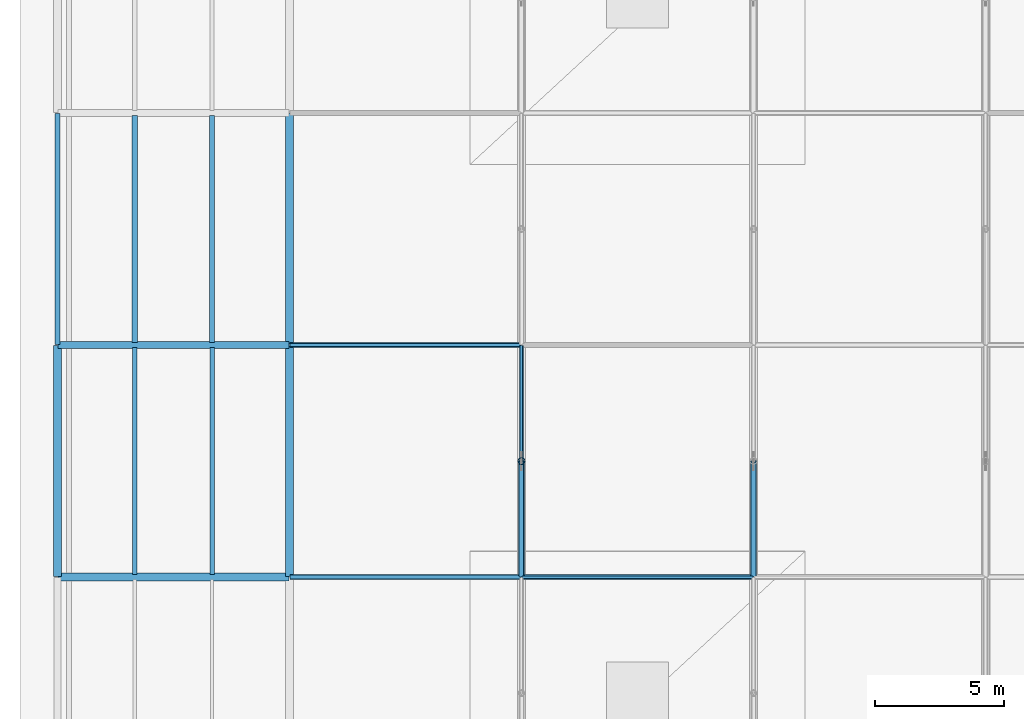
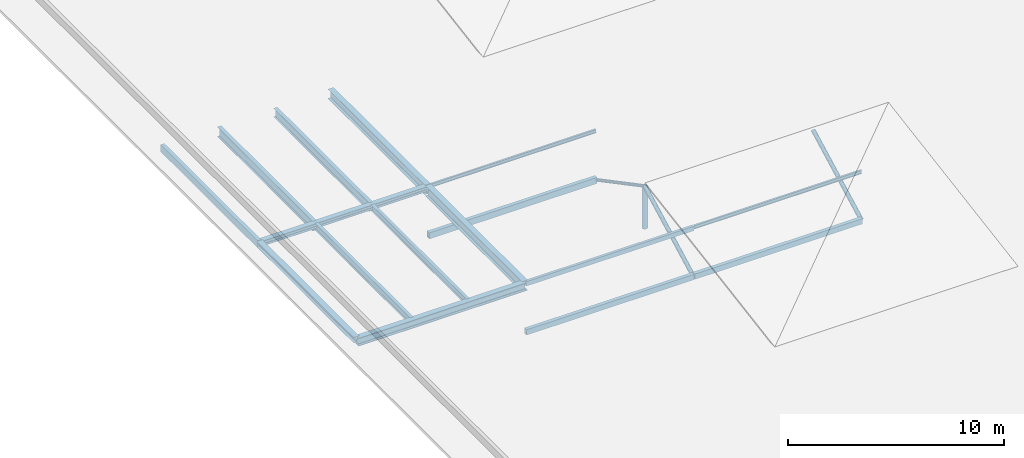
# One storey, part 49 of 196: 10 beams, 10 members.
"""IFC4 building model written with IfcOpenShell, lengths in metres."""

from ifc_helpers import new_model, si_unit, direction, frame, origin, origin_2d, place, context, subcontext, project, spatial, hollow_rectangle, hollow_circle, i_section, extrude, material, material_profile, profile_set, type_object, element, save


model = new_model("IFC4")

# Units and contexts
model_context = context("Model", 3, precision=1e-05, world=origin(), true_north=direction((0.0, 1.0)))
body_context = subcontext(model_context, "Body", "Model", "MODEL_VIEW")
ifc_project = project(units=[si_unit("LENGTHUNIT", "METRE"), si_unit("AREAUNIT", "SQUARE_METRE"), si_unit("VOLUMEUNIT", "CUBIC_METRE"), si_unit("PLANEANGLEUNIT", "RADIAN"), si_unit("MASSUNIT", "GRAM", prefix="KILO")], contexts=[model_context])

# Site, building, storey
site_placement = place(None, origin())
site = spatial("IfcSite", under=ifc_project, at=site_placement, CompositionType="ELEMENT")
building_placement = place(site_placement, origin())
building = spatial("IfcBuilding", under=site, at=building_placement, Name="Barlavento Convention Centre", CompositionType="ELEMENT")
storey_placement = place(building_placement, frame((0.0, 0.0, 18.0)))
storey = spatial("IfcBuildingStorey", under=building, at=storey_placement, Name="L03", CompositionType="ELEMENT", Elevation=18.0)

# Beams
ifc_material = material(Name="Steel S355", Category="steel")
ifc_material_profile_1 = material_profile(ifc_material, i_section(OverallWidth=0.169921875, OverallDepth=0.360107421875, WebThickness=0.008056640625, FlangeThickness=0.0126953125, FilletRadius=0.01806640625, at=origin_2d()), Name="IPE 360")
ifc_profile_set_1 = profile_set([ifc_material_profile_1], Name="Steel S355")
beam_type_1 = type_object("IfcBeamType", Name="STR-BM-JST-IPE360", PredefinedType="JOIST", material=ifc_profile_set_1)
beam_1_placement = place(storey_placement, frame((6.0, 81.094970703125, -0.52490234375), z_axis=(0.0, 1.0, 0.0), x_axis=(-1.0, 0.0, 0.0)))
element("IfcBeam", 1, at=beam_1_placement, inside=storey, type_object=beam_type_1, Name="L03 composite floor joist SJ05", PredefinedType="JOIST", context=body_context, shape_type="SweptSolid", body=[
    extrude(i_section(OverallWidth=0.169921875, OverallDepth=0.360107421875, WebThickness=0.008056640625, FlangeThickness=0.0126953125, FilletRadius=0.01806640625, at=origin_2d()), origin(), (0.0, 0.0, 1.0), 8.81005859375),
])
ifc_material_profile_2 = material_profile(ifc_material, i_section(OverallWidth=0.179931640625, OverallDepth=0.39990234375, WebThickness=0.008544921875, FlangeThickness=0.013427734375, FilletRadius=0.02099609375, at=origin_2d()), Name="IPE 400")
ifc_profile_set_2 = profile_set([ifc_material_profile_2], Name="Steel S355")
beam_type_2 = type_object("IfcBeamType", Name="STR-BM-JST-IPE400", PredefinedType="JOIST", material=ifc_profile_set_2)
beam_2_placement = place(storey_placement, frame((3.0, 81.094970703125, -0.544921875), z_axis=(0.0, 1.0, 0.0), x_axis=(-1.0, 0.0, 0.0)))
element("IfcBeam", 2, at=beam_2_placement, inside=storey, type_object=beam_type_2, Name="L03 composite floor joist SJ04", PredefinedType="JOIST", context=body_context, shape_type="SweptSolid", body=[
    extrude(i_section(OverallWidth=0.179931640625, OverallDepth=0.39990234375, WebThickness=0.008544921875, FlangeThickness=0.013427734375, FilletRadius=0.02099609375, at=origin_2d()), origin(), (0.0, 0.0, 1.0), 8.81005859375),
])
ifc_material_profile_3 = material_profile(ifc_material, i_section(OverallWidth=0.199951171875, OverallDepth=0.5, WebThickness=0.01025390625, FlangeThickness=0.01611328125, FilletRadius=0.02099609375, at=origin_2d()), Name="IPE 500")
ifc_profile_set_3 = profile_set([ifc_material_profile_3], Name="Steel S355")
beam_type_3 = type_object("IfcBeamType", Name="STR-BM-JST-IPE500", PredefinedType="JOIST", material=ifc_profile_set_3)
beam_3_placement = place(storey_placement, frame((6.0, 90.094970703125, -0.594970703125), z_axis=(0.0, 1.0, 0.0), x_axis=(-1.0, 0.0, 0.0)))
element("IfcBeam", 3, at=beam_3_placement, inside=storey, type_object=beam_type_3, Name="L03 composite floor joist SJ02", PredefinedType="JOIST", context=body_context, shape_type="SweptSolid", body=[
    extrude(i_section(OverallWidth=0.199951171875, OverallDepth=0.5, WebThickness=0.01025390625, FlangeThickness=0.01611328125, FilletRadius=0.02099609375, at=origin_2d()), origin(), (0.0, 0.0, 1.0), 8.81005859375),
])
ifc_material_profile_4 = material_profile(ifc_material, i_section(OverallWidth=0.2099609375, OverallDepth=0.550048828125, WebThickness=0.010986328125, FlangeThickness=0.01708984375, FilletRadius=0.02392578125, at=origin_2d()), Name="IPE 550")
ifc_profile_set_4 = profile_set([ifc_material_profile_4], Name="Steel S355")
beam_type_4 = type_object("IfcBeamType", Name="STR-BM-JST-IPE550", PredefinedType="JOIST", material=ifc_profile_set_4)
beam_4_placement = place(storey_placement, frame((3.0, 90.094970703125, -0.6201171875), z_axis=(0.0, 1.0, 0.0), x_axis=(-1.0, 0.0, 0.0)))
element("IfcBeam", 4, at=beam_4_placement, inside=storey, type_object=beam_type_4, Name="L03 composite floor joist SJ01", PredefinedType="JOIST", context=body_context, shape_type="SweptSolid", body=[
    extrude(i_section(OverallWidth=0.2099609375, OverallDepth=0.550048828125, WebThickness=0.010986328125, FlangeThickness=0.01708984375, FilletRadius=0.02392578125, at=origin_2d()), origin(), (0.0, 0.0, 1.0), 8.81005859375),
])
ifc_material_profile_5 = material_profile(ifc_material, i_section(OverallWidth=0.300048828125, OverallDepth=0.5400390625, WebThickness=0.012451171875, FlangeThickness=0.02392578125, FilletRadius=0.027099609375, at=origin_2d()), Name="HEA 550")
ifc_profile_set_5 = profile_set([ifc_material_profile_5], Name="Steel S355")
beam_type_5 = type_object("IfcBeamType", Name="STR-BM-PRI-HEA550", PredefinedType="BEAM", material=ifc_profile_set_5)
beam_5_placement = place(storey_placement, frame((9.0, 90.02001953125, -0.614990234375), z_axis=(0.0, 1.0, 0.0), x_axis=(-1.0, 0.0, 0.0)))
element("IfcBeam", 5, at=beam_5_placement, inside=storey, type_object=beam_type_5, Name="L03 grid girder BG19", PredefinedType="BEAM", context=body_context, shape_type="SweptSolid", body=[
    extrude(i_section(OverallWidth=0.300048828125, OverallDepth=0.5400390625, WebThickness=0.012451171875, FlangeThickness=0.02392578125, FilletRadius=0.027099609375, at=origin_2d()), origin(), (0.0, 0.0, 1.0), 8.9599609375),
])
ifc_material_profile_6 = material_profile(ifc_material, i_section(OverallWidth=0.300048828125, OverallDepth=0.590087890625, WebThickness=0.012939453125, FlangeThickness=0.02490234375, FilletRadius=0.027099609375, at=origin_2d()), Name="HEA 600")
ifc_profile_set_6 = profile_set([ifc_material_profile_6], Name="Steel S355")
beam_type_6 = type_object("IfcBeamType", Name="STR-BM-PRI-HEA600", PredefinedType="BEAM", material=ifc_profile_set_6)
beam_6_placement = place(storey_placement, frame((9.0, 81.02001953125, -0.639892578125), z_axis=(0.0, 1.0, 0.0), x_axis=(-1.0, 0.0, 0.0)))
element("IfcBeam", 6, at=beam_6_placement, inside=storey, type_object=beam_type_6, Name="L03 grid girder BG18", PredefinedType="BEAM", context=body_context, shape_type="SweptSolid", body=[
    extrude(i_section(OverallWidth=0.300048828125, OverallDepth=0.590087890625, WebThickness=0.012939453125, FlangeThickness=0.02490234375, FilletRadius=0.027099609375, at=origin_2d()), origin(), (0.0, 0.0, 1.0), 8.9599609375),
])
ifc_material_profile_7 = material_profile(ifc_material, i_section(OverallWidth=0.280029296875, OverallDepth=0.280029296875, WebThickness=0.010498046875, FlangeThickness=0.01806640625, FilletRadius=0.02392578125, at=origin_2d()), Name="HEB 280")
ifc_profile_set_7 = profile_set([ifc_material_profile_7], Name="Steel S355")
beam_type_7 = type_object("IfcBeamType", Name="STR-BM-PRI-HEB280", PredefinedType="BEAM", material=ifc_profile_set_7)
beam_7_placement = place(storey_placement, frame((0.02001953125, 90.0, -0.485107421875), z_axis=(1.0, 0.0, 0.0), x_axis=(0.0, 1.0, 0.0)))
element("IfcBeam", 7, at=beam_7_placement, inside=storey, type_object=beam_type_7, Name="L03 primary girder BG15", PredefinedType="BEAM", context=body_context, shape_type="SweptSolid", body=[
    extrude(i_section(OverallWidth=0.280029296875, OverallDepth=0.280029296875, WebThickness=0.010498046875, FlangeThickness=0.01806640625, FilletRadius=0.02392578125, at=origin_2d()), origin(), (0.0, 0.0, 1.0), 8.9599609375),
])
ifc_material_profile_8 = material_profile(ifc_material, i_section(OverallWidth=0.300048828125, OverallDepth=0.449951171875, WebThickness=0.013916015625, FlangeThickness=0.02587890625, FilletRadius=0.027099609375, at=origin_2d()), Name="HEB 450")
ifc_profile_set_8 = profile_set([ifc_material_profile_8], Name="Steel S355")
beam_type_8 = type_object("IfcBeamType", Name="STR-BM-PRI-HEB450", PredefinedType="BEAM", material=ifc_profile_set_8)
beam_8_placement = place(storey_placement, frame((0.02001953125, 81.0, -0.570068359375), z_axis=(1.0, 0.0, 0.0), x_axis=(0.0, 1.0, 0.0)))
element("IfcBeam", 8, at=beam_8_placement, inside=storey, type_object=beam_type_8, Name="L03 primary girder BG10", PredefinedType="BEAM", context=body_context, shape_type="SweptSolid", body=[
    extrude(i_section(OverallWidth=0.300048828125, OverallDepth=0.449951171875, WebThickness=0.013916015625, FlangeThickness=0.02587890625, FilletRadius=0.027099609375, at=origin_2d()), origin(), (0.0, 0.0, 1.0), 8.9599609375),
])
ifc_material_profile_9 = material_profile(ifc_material, i_section(OverallWidth=0.300048828125, OverallDepth=0.31005859375, WebThickness=0.009033203125, FlangeThickness=0.015380859375, FilletRadius=0.027099609375, at=origin_2d()), Name="HEA 320")
ifc_profile_set_9 = profile_set([ifc_material_profile_9], Name="Steel S355")
beam_type_9 = type_object("IfcBeamType", Name="STR-BM-SPN-HEA320", PredefinedType="SPANDREL", material=ifc_profile_set_9)
beam_9_placement = place(storey_placement, frame((0.0, 81.02001953125, -0.5), z_axis=(0.0, 1.0, 0.0), x_axis=(-1.0, 0.0, 0.0)))
element("IfcBeam", 9, at=beam_9_placement, inside=storey, type_object=beam_type_9, Name="L03 grid girder SP01", PredefinedType="SPANDREL", context=body_context, shape_type="SweptSolid", body=[
    extrude(i_section(OverallWidth=0.300048828125, OverallDepth=0.31005859375, WebThickness=0.009033203125, FlangeThickness=0.015380859375, FilletRadius=0.027099609375, at=origin_2d()), origin(), (0.0, 0.0, 1.0), 8.9599609375),
])
ifc_material_profile_10 = material_profile(ifc_material, hollow_rectangle(XDim=0.199951171875, YDim=0.39990234375, WallThickness=0.01611328125, at=origin_2d()), Name="RHS 400x200x16.0")
ifc_profile_set_10 = profile_set([ifc_material_profile_10], Name="Steel S355")
beam_type_10 = type_object("IfcBeamType", Name="STR-BM-SPN-RHS400", PredefinedType="SPANDREL", material=ifc_profile_set_10)
beam_10_placement = place(storey_placement, frame((0.0, 90.02001953125, -0.544921875), z_axis=(0.0, 1.0, 0.0), x_axis=(-1.0, 0.0, 0.0)))
element("IfcBeam", 10, at=beam_10_placement, inside=storey, type_object=beam_type_10, Name="L03 grid girder SP06", PredefinedType="SPANDREL", context=body_context, shape_type="SweptSolid", body=[
    extrude(hollow_rectangle(XDim=0.199951171875, YDim=0.39990234375, WallThickness=0.01611328125, at=origin_2d()), origin(), (0.0, 0.0, 1.0), 8.9599609375),
])

# Members
ifc_material_profile_11 = material_profile(ifc_material, hollow_rectangle(XDim=0.199951171875, YDim=0.300048828125, WallThickness=0.012451171875, at=origin_2d()), Name="RHS 300x200x12.5")
ifc_profile_set_11 = profile_set([ifc_material_profile_11], Name="Steel S355")
member_type_1 = type_object("IfcMemberType", Name="STR-MEM-COL-RHS300", PredefinedType="COLLAR", material=ifc_profile_set_11)
for number, where, z_axis, x_axis, name in (
    (11, (9.02001953125, 81.0, -3.199951171875), (1.0, 0.0, 0.0), (0.0, 1.0, 0.0), "Exhibition space frame transverse chord"),
    (12, (18.02001953125, 81.0, -3.199951171875), (1.0, 0.0, 0.0), (0.0, 1.0, 0.0), "Exhibition space frame transverse chord"),
):
    element("IfcMember", number, at=place(storey_placement, frame(where, z_axis=z_axis, x_axis=x_axis)), inside=storey, type_object=member_type_1, Name=name, PredefinedType="COLLAR", context=body_context, shape_type="SweptSolid", body=[
        extrude(hollow_rectangle(XDim=0.199951171875, YDim=0.300048828125, WallThickness=0.012451171875, at=origin_2d()), origin(), (0.0, 0.0, 1.0), 8.9599609375),
    ])
ifc_material_profile_12 = material_profile(ifc_material, hollow_rectangle(XDim=0.199951171875, YDim=0.35009765625, WallThickness=0.012451171875, at=origin_2d()), Name="RHS 350x200x12.5")
ifc_profile_set_12 = profile_set([ifc_material_profile_12], Name="Steel S355")
member_type_2 = type_object("IfcMemberType", Name="STR-MEM-COL-RHS350", PredefinedType="COLLAR", material=ifc_profile_set_12)
member_1_placement = place(storey_placement, frame((9.02001953125, 90.0, -3.199951171875), z_axis=(1.0, 0.0, 0.0), x_axis=(0.0, 1.0, 0.0)))
element("IfcMember", 13, at=member_1_placement, inside=storey, type_object=member_type_2, Name="Exhibition space frame transverse chord", PredefinedType="COLLAR", context=body_context, shape_type="SweptSolid", body=[
    extrude(hollow_rectangle(XDim=0.199951171875, YDim=0.35009765625, WallThickness=0.012451171875, at=origin_2d()), origin(), (0.0, 0.0, 1.0), 8.9599609375),
])
ifc_material_profile_13 = material_profile(ifc_material, hollow_circle(Radius=0.084228515625, WallThickness=0.010009765625, at=origin_2d()), Name="CHS 168.3x10.0")
ifc_profile_set_13 = profile_set([ifc_material_profile_13], Name="Steel S355")
member_type_3 = type_object("IfcMemberType", Name="STR-MEM-DIAG-CHS168", PredefinedType="POST", material=ifc_profile_set_13)
member_2_placement = place(storey_placement, frame((18.0, 85.5, -0.84912109375), z_axis=(0.0, 0.884200566707, -0.467107437144), x_axis=(-1.0, 0.0, 0.0)))
element("IfcMember", 14, at=member_2_placement, inside=storey, type_object=member_type_3, Name="Exhibition space frame web diagonal", PredefinedType="POST", context=body_context, shape_type="SweptSolid", body=[
    extrude(hollow_circle(Radius=0.084228515625, WallThickness=0.010009765625, at=origin_2d()), origin(), (0.0, 0.0, 1.0), 5.03271484375),
])
ifc_material_profile_14 = material_profile(ifc_material, hollow_circle(Radius=0.109619140625, WallThickness=0.012451171875, at=origin_2d()), Name="CHS 219.1x12.5")
ifc_profile_set_14 = profile_set([ifc_material_profile_14], Name="Steel S355")
member_type_4 = type_object("IfcMemberType", Name="STR-MEM-DIAG-CHS219", PredefinedType="RAFTER", material=ifc_profile_set_14)
member_3_placement = place(storey_placement, frame((18.0, 81.050048828125, -3.199951171875), z_axis=(0.0, 0.884200566707, 0.467107437144), x_axis=(-1.0, 0.0, 0.0)))
element("IfcMember", 15, at=member_3_placement, inside=storey, type_object=member_type_4, Name="Exhibition space frame web diagonal", PredefinedType="RAFTER", context=body_context, shape_type="SweptSolid", body=[
    extrude(hollow_circle(Radius=0.109619140625, WallThickness=0.012451171875, at=origin_2d()), origin(), (0.0, 0.0, 1.0), 5.03271484375),
])
member_4_placement = place(storey_placement, frame((27.0, 81.050048828125, -3.199951171875), z_axis=(0.0, 0.883859857229, 0.467751806816), x_axis=(-1.0, 0.0, 0.0)))
element("IfcMember", 16, at=member_4_placement, inside=storey, type_object=member_type_4, Name="Exhibition space frame web diagonal", PredefinedType="RAFTER", context=body_context, shape_type="SweptSolid", body=[
    extrude(hollow_circle(Radius=0.109619140625, WallThickness=0.012451171875, at=origin_2d()), origin(), (0.0, 0.0, 1.0), 5.03466796875),
])
ifc_material_profile_15 = material_profile(ifc_material, i_section(OverallWidth=0.10009765625, OverallDepth=0.199951171875, WebThickness=0.005615234375, FlangeThickness=0.008544921875, FilletRadius=0.011962890625, at=origin_2d()), Name="IPE 200")
ifc_profile_set_15 = profile_set([ifc_material_profile_15], Name="Steel S355")
member_type_5 = type_object("IfcMemberType", Name="STR-MEM-PUR-IPE200", PredefinedType="PURLIN", material=ifc_profile_set_15)
for number, where, z_axis, x_axis, name in (
    (17, (18.02001953125, 81.0, -0.445068359375), (1.0, 0.0, 0.0), (0.0, 1.0, 0.0), "Exhibition roof purlin"),
    (18, (9.02001953125, 90.0, -0.445068359375), (1.0, 0.0, 0.0), (0.0, 1.0, 0.0), "Exhibition roof purlin"),
):
    element("IfcMember", number, at=place(storey_placement, frame(where, z_axis=z_axis, x_axis=x_axis)), inside=storey, type_object=member_type_5, Name=name, PredefinedType="PURLIN", context=body_context, shape_type="SweptSolid", body=[
        extrude(i_section(OverallWidth=0.10009765625, OverallDepth=0.199951171875, WebThickness=0.005615234375, FlangeThickness=0.008544921875, FilletRadius=0.011962890625, at=origin_2d()), origin(), (0.0, 0.0, 1.0), 8.9599609375),
    ])
ifc_material_profile_16 = material_profile(ifc_material, hollow_rectangle(XDim=0.14990234375, YDim=0.25, WallThickness=0.010009765625, at=origin_2d()), Name="RHS 250x150x10.0")
ifc_profile_set_16 = profile_set([ifc_material_profile_16], Name="Steel S355")
member_type_6 = type_object("IfcMemberType", Name="STR-MEM-PUR-RHS250", PredefinedType="PURLIN", material=ifc_profile_set_16)
member_5_placement = place(storey_placement, frame((9.02001953125, 81.0, -0.469970703125), z_axis=(1.0, 0.0, 0.0), x_axis=(0.0, 1.0, 0.0)))
element("IfcMember", 19, at=member_5_placement, inside=storey, type_object=member_type_6, Name="Exhibition roof purlin", PredefinedType="PURLIN", context=body_context, shape_type="SweptSolid", body=[
    extrude(hollow_rectangle(XDim=0.14990234375, YDim=0.25, WallThickness=0.010009765625, at=origin_2d()), origin(), (0.0, 0.0, 1.0), 8.9599609375),
])
ifc_material_profile_17 = material_profile(ifc_material, hollow_circle(Radius=0.136474609375, WallThickness=0.012451171875, at=origin_2d()), Name="CHS 273.0x12.5")
ifc_profile_set_17 = profile_set([ifc_material_profile_17], Name="Steel S355")
member_type_7 = type_object("IfcMemberType", Name="STR-MEM-STRUT-CHS273", PredefinedType="STRUT", material=ifc_profile_set_17)
member_6_placement = place(storey_placement, frame((18.0, 85.5, -3.199951171875), z_axis=(0.0, 0.0, 1.0), x_axis=(1.0, 0.0, 0.0)))
element("IfcMember", 20, at=member_6_placement, inside=storey, type_object=member_type_7, Name="Exhibition space frame vertical strut", PredefinedType="STRUT", context=body_context, shape_type="SweptSolid", body=[
    extrude(hollow_circle(Radius=0.136474609375, WallThickness=0.012451171875, at=origin_2d()), origin(), (0.0, 0.0, 1.0), 2.350830078125),
])

save(model, "model.ifc")
